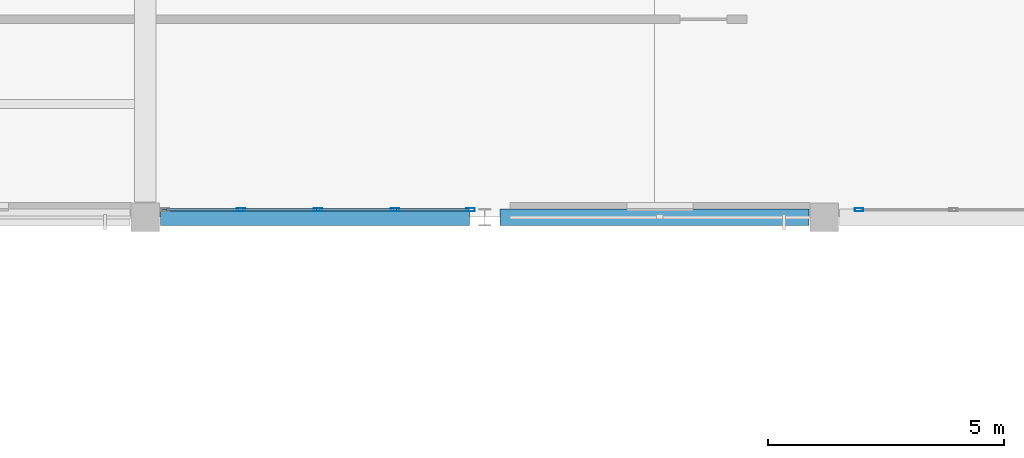
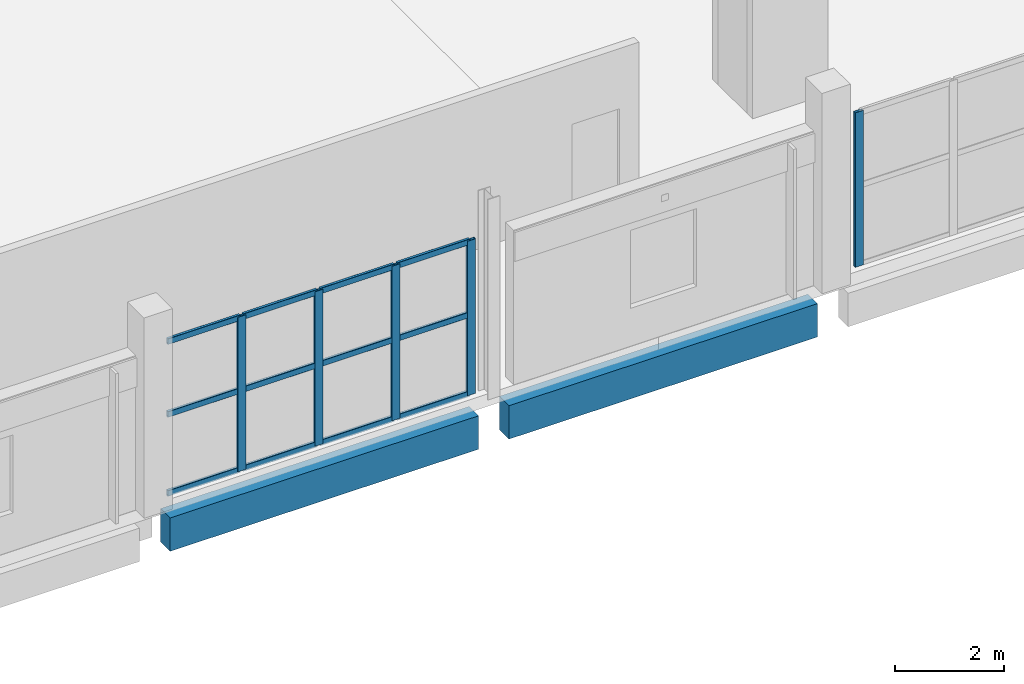
# One storey, part 49 of 123: 17 members, 2 beams, 2 elements without a shape of their own.
"""IFC4 building model written with IfcOpenShell, lengths in metres."""

from ifc_helpers import new_model, si_unit, direction, frame, origin, origin_2d, place, context, subcontext, project, spatial, rectangle, hollow_rectangle, extrude, material, material_profile, profile_set, type_object, element, aggregate, save


model = new_model("IFC4")

# Units and contexts
model_context = context("Model", 3, precision=1e-05, world=origin(), true_north=direction((0.0, 1.0)))
body_context = subcontext(model_context, "Body", "Model", "MODEL_VIEW")
ifc_project = project(units=[si_unit("LENGTHUNIT", "METRE"), si_unit("AREAUNIT", "SQUARE_METRE"), si_unit("VOLUMEUNIT", "CUBIC_METRE"), si_unit("PLANEANGLEUNIT", "RADIAN"), si_unit("MASSUNIT", "GRAM", prefix="KILO")], contexts=[model_context])

# Site, building, storey
site_placement = place(None, origin())
site = spatial("IfcSite", under=ifc_project, at=site_placement, CompositionType="ELEMENT")
building_placement = place(site_placement, origin())
building = spatial("IfcBuilding", under=site, at=building_placement, Name="Kalmorath City Hall", CompositionType="ELEMENT")
storey_placement = place(building_placement, frame((0.0, 0.0, 10.199951171875)))
storey = spatial("IfcBuildingStorey", under=building, at=storey_placement, Name="L02", CompositionType="ELEMENT", Elevation=10.199951171875)

# Curtain wall, member
ifc_material_1 = material(Name="Anodised aluminium and laminated glass", Category="aluminium")
curtain_wall_type_1 = type_object("IfcCurtainWallType", Name="Unitised hurricane curtain wall 6102x3471 M1750", PredefinedType="NOTDEFINED", material=ifc_material_1)
curtain_wall_1_placement = place(storey_placement, origin())
curtain_wall_1 = element("IfcCurtainWall", 1, at=curtain_wall_1_placement, inside=storey, type_object=curtain_wall_type_1, Name="L02 curtain wall CW-61X35M18 #136", PredefinedType="NOTDEFINED")
ifc_material_2 = material(Name="Anodised aluminium framing", Category="aluminium")
ifc_material_profile_1 = material_profile(ifc_material_2, hollow_rectangle(XDim=0.06494140625, YDim=0.179931640625, WallThickness=0.00390625, InnerFilletRadius=0.00390625, OuterFilletRadius=0.008056640625, at=origin_2d()), Name="ALU-MUL-180X65X4")
ifc_profile_set_1 = profile_set([ifc_material_profile_1], Name="Anodised aluminium framing")
member_type_1 = type_object("IfcMemberType", Name="Curtain-wall courtyard mullion 180x65", PredefinedType="MULLION", material=ifc_profile_set_1)
member_1_placement = place(storey_placement, frame((58.340087890625, 93.760009765625, 0.0), z_axis=(0.0, 0.0, 1.0), x_axis=(0.0, -1.0, 0.0)))
member_1 = element("IfcMember", 2, at=member_1_placement, type_object=member_type_1, Name="CW-61X35M18 mullion 4", PredefinedType="MULLION", context=body_context, shape_type="SweptSolid", body=[
    extrude(hollow_rectangle(XDim=0.06494140625, YDim=0.179931640625, WallThickness=0.00390625, InnerFilletRadius=0.00390625, OuterFilletRadius=0.008056640625, at=origin_2d()), origin(), (0.0, 0.0, 1.0), 3.470947265625),
])
aggregate(curtain_wall_1, [member_1])

# Curtain wall, members
ifc_material_3 = material(Name="Anodised aluminium and laminated glass", Category="aluminium")
curtain_wall_type_2 = type_object("IfcCurtainWallType", Name="Unitised hurricane curtain wall 6543x3471 M1750", PredefinedType="NOTDEFINED", material=ifc_material_3)
curtain_wall_2_placement = place(storey_placement, origin())
curtain_wall_2 = element("IfcCurtainWall", 3, at=curtain_wall_2_placement, inside=storey, type_object=curtain_wall_type_2, Name="L02 curtain wall CW-65X35M18 #137", PredefinedType="NOTDEFINED")
member_2_placement = place(storey_placement, frame((50.10107421875, 93.760009765625, 0.0), z_axis=(0.0, 0.0, 1.0), x_axis=(0.0, -1.0, 0.0)))
member_2 = element("IfcMember", 4, at=member_2_placement, type_object=member_type_1, Name="CW-65X35M18 mullion 1", PredefinedType="MULLION", context=body_context, shape_type="SweptSolid", body=[
    extrude(hollow_rectangle(XDim=0.06494140625, YDim=0.179931640625, WallThickness=0.00390625, InnerFilletRadius=0.00390625, OuterFilletRadius=0.008056640625, at=origin_2d()), origin(), (0.0, 0.0, 1.0), 3.470947265625),
])
member_3_placement = place(storey_placement, frame((48.49755859375, 93.760009765625, 0.0), z_axis=(0.0, 0.0, 1.0), x_axis=(0.0, -1.0, 0.0)))
member_3 = element("IfcMember", 5, at=member_3_placement, type_object=member_type_1, Name="CW-65X35M18 mullion 2", PredefinedType="MULLION", context=body_context, shape_type="SweptSolid", body=[
    extrude(hollow_rectangle(XDim=0.06494140625, YDim=0.179931640625, WallThickness=0.00390625, InnerFilletRadius=0.00390625, OuterFilletRadius=0.008056640625, at=origin_2d()), origin(), (0.0, 0.0, 1.0), 3.470947265625),
])
member_4_placement = place(storey_placement, frame((46.86181640625, 93.760009765625, 0.0), z_axis=(0.0, 0.0, 1.0), x_axis=(0.0, -1.0, 0.0)))
member_4 = element("IfcMember", 6, at=member_4_placement, type_object=member_type_1, Name="CW-65X35M18 mullion 3", PredefinedType="MULLION", context=body_context, shape_type="SweptSolid", body=[
    extrude(hollow_rectangle(XDim=0.06494140625, YDim=0.179931640625, WallThickness=0.00390625, InnerFilletRadius=0.00390625, OuterFilletRadius=0.008056640625, at=origin_2d()), origin(), (0.0, 0.0, 1.0), 3.470947265625),
])
member_5_placement = place(storey_placement, frame((45.225830078125, 93.760009765625, 0.0), z_axis=(0.0, 0.0, 1.0), x_axis=(0.0, -1.0, 0.0)))
member_5 = element("IfcMember", 7, at=member_5_placement, type_object=member_type_1, Name="CW-65X35M18 mullion 4", PredefinedType="MULLION", context=body_context, shape_type="SweptSolid", body=[
    extrude(hollow_rectangle(XDim=0.06494140625, YDim=0.179931640625, WallThickness=0.00390625, InnerFilletRadius=0.00390625, OuterFilletRadius=0.008056640625, at=origin_2d()), origin(), (0.0, 0.0, 1.0), 3.470947265625),
])
ifc_material_4 = material(Name="Anodised aluminium framing", Category="aluminium")
ifc_material_profile_2 = material_profile(ifc_material_4, hollow_rectangle(XDim=0.06005859375, YDim=0.1298828125, WallThickness=0.00341796875, InnerFilletRadius=0.00341796875, OuterFilletRadius=0.007080078125, at=origin_2d()), Name="ALU-TRN-130X60X3.5")
ifc_profile_set_2 = profile_set([ifc_material_profile_2], Name="Anodised aluminium framing")
member_type_2 = type_object("IfcMemberType", Name="Curtain-wall courtyard transom 130x60", PredefinedType="USERDEFINED", material=ifc_profile_set_2)
member_6_placement = place(storey_placement, frame((50.068603515625, 93.760009765625, 0.030029296875), z_axis=(-1.0, 0.0, 0.0), x_axis=(0.0, -1.0, 0.0)))
member_6 = element("IfcMember", 8, at=member_6_placement, type_object=member_type_2, Name="CW-65X35M18 transom 1.1", ObjectType="TRANSOM", PredefinedType="USERDEFINED", context=body_context, shape_type="SweptSolid", body=[
    extrude(hollow_rectangle(XDim=0.06005859375, YDim=0.1298828125, WallThickness=0.00341796875, InnerFilletRadius=0.00341796875, OuterFilletRadius=0.007080078125, at=origin_2d()), origin(), (0.0, 0.0, 1.0), 1.53857421875),
])
member_7_placement = place(storey_placement, frame((50.068603515625, 93.760009765625, 1.804931640625), z_axis=(-1.0, 0.0, 0.0), x_axis=(0.0, -1.0, 0.0)))
member_7 = element("IfcMember", 9, at=member_7_placement, type_object=member_type_2, Name="CW-65X35M18 transom 1.2", ObjectType="TRANSOM", PredefinedType="USERDEFINED", context=body_context, shape_type="SweptSolid", body=[
    extrude(hollow_rectangle(XDim=0.06005859375, YDim=0.1298828125, WallThickness=0.00341796875, InnerFilletRadius=0.00341796875, OuterFilletRadius=0.007080078125, at=origin_2d()), origin(), (0.0, 0.0, 1.0), 1.53857421875),
])
member_8_placement = place(storey_placement, frame((50.068603515625, 93.760009765625, 3.441162109375), z_axis=(-1.0, 0.0, 0.0), x_axis=(0.0, -1.0, 0.0)))
member_8 = element("IfcMember", 10, at=member_8_placement, type_object=member_type_2, Name="CW-65X35M18 transom 1.3", ObjectType="TRANSOM", PredefinedType="USERDEFINED", context=body_context, shape_type="SweptSolid", body=[
    extrude(hollow_rectangle(XDim=0.06005859375, YDim=0.1298828125, WallThickness=0.00341796875, InnerFilletRadius=0.00341796875, OuterFilletRadius=0.007080078125, at=origin_2d()), origin(), (0.0, 0.0, 1.0), 1.53857421875),
])
member_9_placement = place(storey_placement, frame((48.465087890625, 93.760009765625, 0.030029296875), z_axis=(-1.0, 0.0, 0.0), x_axis=(0.0, -1.0, 0.0)))
member_9 = element("IfcMember", 11, at=member_9_placement, type_object=member_type_2, Name="CW-65X35M18 transom 2.1", ObjectType="TRANSOM", PredefinedType="USERDEFINED", context=body_context, shape_type="SweptSolid", body=[
    extrude(hollow_rectangle(XDim=0.06005859375, YDim=0.1298828125, WallThickness=0.00341796875, InnerFilletRadius=0.00341796875, OuterFilletRadius=0.007080078125, at=origin_2d()), origin(), (0.0, 0.0, 1.0), 1.57080078125),
])
member_10_placement = place(storey_placement, frame((48.465087890625, 93.760009765625, 1.804931640625), z_axis=(-1.0, 0.0, 0.0), x_axis=(0.0, -1.0, 0.0)))
member_10 = element("IfcMember", 12, at=member_10_placement, type_object=member_type_2, Name="CW-65X35M18 transom 2.2", ObjectType="TRANSOM", PredefinedType="USERDEFINED", context=body_context, shape_type="SweptSolid", body=[
    extrude(hollow_rectangle(XDim=0.06005859375, YDim=0.1298828125, WallThickness=0.00341796875, InnerFilletRadius=0.00341796875, OuterFilletRadius=0.007080078125, at=origin_2d()), origin(), (0.0, 0.0, 1.0), 1.57080078125),
])
member_11_placement = place(storey_placement, frame((48.465087890625, 93.760009765625, 3.441162109375), z_axis=(-1.0, 0.0, 0.0), x_axis=(0.0, -1.0, 0.0)))
member_11 = element("IfcMember", 13, at=member_11_placement, type_object=member_type_2, Name="CW-65X35M18 transom 2.3", ObjectType="TRANSOM", PredefinedType="USERDEFINED", context=body_context, shape_type="SweptSolid", body=[
    extrude(hollow_rectangle(XDim=0.06005859375, YDim=0.1298828125, WallThickness=0.00341796875, InnerFilletRadius=0.00341796875, OuterFilletRadius=0.007080078125, at=origin_2d()), origin(), (0.0, 0.0, 1.0), 1.57080078125),
])
member_12_placement = place(storey_placement, frame((46.829345703125, 93.760009765625, 0.030029296875), z_axis=(-1.0, 0.0, 0.0), x_axis=(0.0, -1.0, 0.0)))
member_12 = element("IfcMember", 14, at=member_12_placement, type_object=member_type_2, Name="CW-65X35M18 transom 3.1", ObjectType="TRANSOM", PredefinedType="USERDEFINED", context=body_context, shape_type="SweptSolid", body=[
    extrude(hollow_rectangle(XDim=0.06005859375, YDim=0.1298828125, WallThickness=0.00341796875, InnerFilletRadius=0.00341796875, OuterFilletRadius=0.007080078125, at=origin_2d()), origin(), (0.0, 0.0, 1.0), 1.571044921875),
])
member_13_placement = place(storey_placement, frame((46.829345703125, 93.760009765625, 1.804931640625), z_axis=(-1.0, 0.0, 0.0), x_axis=(0.0, -1.0, 0.0)))
member_13 = element("IfcMember", 15, at=member_13_placement, type_object=member_type_2, Name="CW-65X35M18 transom 3.2", ObjectType="TRANSOM", PredefinedType="USERDEFINED", context=body_context, shape_type="SweptSolid", body=[
    extrude(hollow_rectangle(XDim=0.06005859375, YDim=0.1298828125, WallThickness=0.00341796875, InnerFilletRadius=0.00341796875, OuterFilletRadius=0.007080078125, at=origin_2d()), origin(), (0.0, 0.0, 1.0), 1.571044921875),
])
member_14_placement = place(storey_placement, frame((46.829345703125, 93.760009765625, 3.441162109375), z_axis=(-1.0, 0.0, 0.0), x_axis=(0.0, -1.0, 0.0)))
member_14 = element("IfcMember", 16, at=member_14_placement, type_object=member_type_2, Name="CW-65X35M18 transom 3.3", ObjectType="TRANSOM", PredefinedType="USERDEFINED", context=body_context, shape_type="SweptSolid", body=[
    extrude(hollow_rectangle(XDim=0.06005859375, YDim=0.1298828125, WallThickness=0.00341796875, InnerFilletRadius=0.00341796875, OuterFilletRadius=0.007080078125, at=origin_2d()), origin(), (0.0, 0.0, 1.0), 1.571044921875),
])
member_15_placement = place(storey_placement, frame((45.193359375, 93.760009765625, 0.030029296875), z_axis=(-1.0, 0.0, 0.0), x_axis=(0.0, -1.0, 0.0)))
member_15 = element("IfcMember", 17, at=member_15_placement, type_object=member_type_2, Name="CW-65X35M18 transom 4.1", ObjectType="TRANSOM", PredefinedType="USERDEFINED", context=body_context, shape_type="SweptSolid", body=[
    extrude(hollow_rectangle(XDim=0.06005859375, YDim=0.1298828125, WallThickness=0.00341796875, InnerFilletRadius=0.00341796875, OuterFilletRadius=0.007080078125, at=origin_2d()), origin(), (0.0, 0.0, 1.0), 1.538330078125),
])
member_16_placement = place(storey_placement, frame((45.193359375, 93.760009765625, 1.804931640625), z_axis=(-1.0, 0.0, 0.0), x_axis=(0.0, -1.0, 0.0)))
member_16 = element("IfcMember", 18, at=member_16_placement, type_object=member_type_2, Name="CW-65X35M18 transom 4.2", ObjectType="TRANSOM", PredefinedType="USERDEFINED", context=body_context, shape_type="SweptSolid", body=[
    extrude(hollow_rectangle(XDim=0.06005859375, YDim=0.1298828125, WallThickness=0.00341796875, InnerFilletRadius=0.00341796875, OuterFilletRadius=0.007080078125, at=origin_2d()), origin(), (0.0, 0.0, 1.0), 1.538330078125),
])
member_17_placement = place(storey_placement, frame((45.193359375, 93.760009765625, 3.441162109375), z_axis=(-1.0, 0.0, 0.0), x_axis=(0.0, -1.0, 0.0)))
member_17 = element("IfcMember", 19, at=member_17_placement, type_object=member_type_2, Name="CW-65X35M18 transom 4.3", ObjectType="TRANSOM", PredefinedType="USERDEFINED", context=body_context, shape_type="SweptSolid", body=[
    extrude(hollow_rectangle(XDim=0.06005859375, YDim=0.1298828125, WallThickness=0.00341796875, InnerFilletRadius=0.00341796875, OuterFilletRadius=0.007080078125, at=origin_2d()), origin(), (0.0, 0.0, 1.0), 1.538330078125),
])
aggregate(curtain_wall_2, [member_2, member_3, member_4, member_5, member_6, member_7, member_8, member_9, member_10, member_11, member_12, member_13, member_14, member_15, member_16, member_17])

# Beams
ifc_material_5 = material(Name="Precast concrete C40/50", Category="concrete")
ifc_material_profile_3 = material_profile(ifc_material_5, rectangle(XDim=0.35009765625, YDim=0.75, at=origin_2d()), Name="PC-SP-350X750")
ifc_profile_set_3 = profile_set([ifc_material_profile_3], Name="Precast concrete C40/50")
beam_type = type_object("IfcBeamType", Name="Precast spandrel lintel 350x750", PredefinedType="LINTEL", material=ifc_profile_set_3)
beam_1_placement = place(storey_placement, frame((43.52490234375, 93.60009765625, -0.658935546875), z_axis=(1.0, 0.0, 0.0), x_axis=(0.0, 1.0, 0.0)))
element("IfcBeam", 20, at=beam_1_placement, inside=storey, type_object=beam_type, Name="L02 girder PSB1 X7-8/14", PredefinedType="LINTEL", context=body_context, shape_type="SweptSolid", body=[
    extrude(rectangle(XDim=0.35009765625, YDim=0.75, at=origin_2d()), origin(), (0.0, 0.0, 1.0), 6.550048828125),
])
beam_2_placement = place(storey_placement, frame((50.72509765625, 93.60009765625, -0.658935546875), z_axis=(1.0, 0.0, 0.0), x_axis=(0.0, 1.0, 0.0)))
element("IfcBeam", 21, at=beam_2_placement, inside=storey, type_object=beam_type, Name="L02 girder PSB1 X8-9/14", PredefinedType="LINTEL", context=body_context, shape_type="SweptSolid", body=[
    extrude(rectangle(XDim=0.35009765625, YDim=0.75, at=origin_2d()), origin(), (0.0, 0.0, 1.0), 6.5498046875),
])

save(model, "model.ifc")
